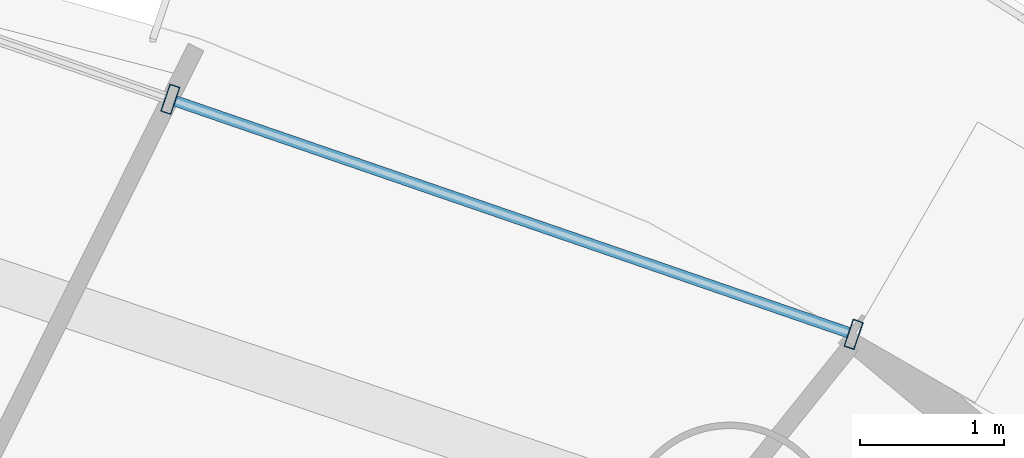
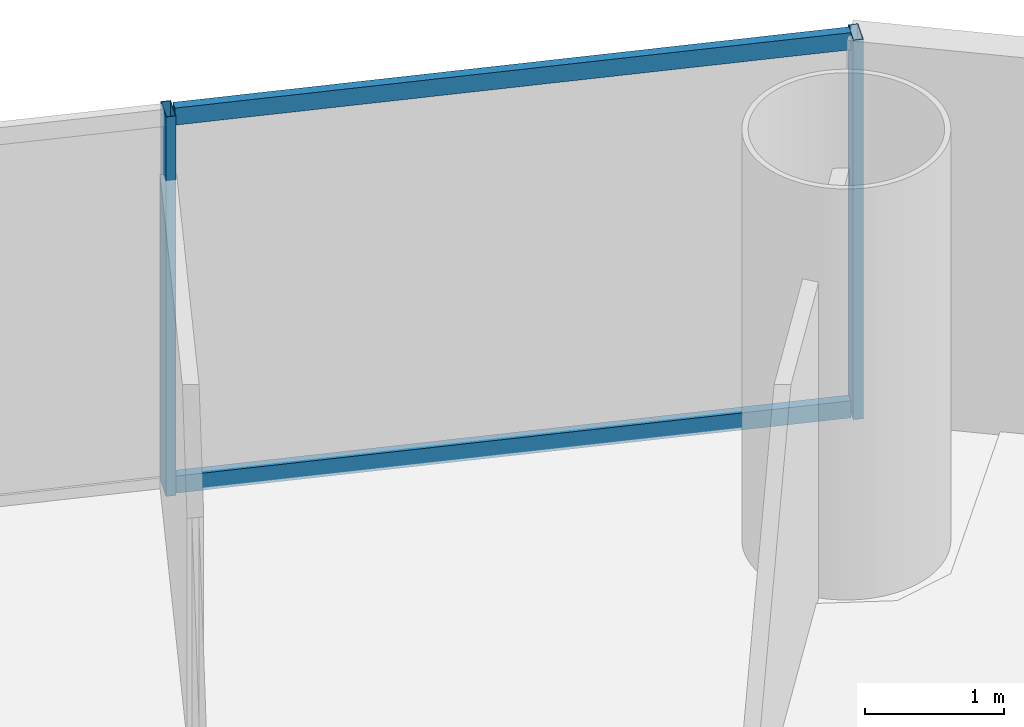
# One storey, part 20 of 29: 4 members, 1 element without a shape of its own.
"""IFC4 building model written with IfcOpenShell, lengths in metres."""

from ifc_helpers import new_model, si_unit, direction, frame, origin, origin_2d, place, context, subcontext, project, spatial, hollow_rectangle, extrude, source, transform, mapped, material, material_profile, profile_set, type_object, element, aggregate, save


model = new_model("IFC4")

# Units and contexts
model_context = context("Model", 3, precision=1e-05, world=origin(), true_north=direction((-0.2419218956, 0.970295726276)))
body_context = subcontext(model_context, "Body", "Model", "MODEL_VIEW")
ifc_project = project(units=[si_unit("LENGTHUNIT", "METRE"), si_unit("AREAUNIT", "SQUARE_METRE"), si_unit("VOLUMEUNIT", "CUBIC_METRE"), si_unit("PLANEANGLEUNIT", "RADIAN"), si_unit("MASSUNIT", "GRAM", prefix="KILO")], contexts=[model_context])

# Site, building, storey
site_placement = place(None, origin())
site = spatial("IfcSite", under=ifc_project, at=site_placement, CompositionType="ELEMENT")
building_placement = place(site_placement, origin())
building = spatial("IfcBuilding", under=site, at=building_placement, Name="Cobrevalo Terracotta Tower", CompositionType="ELEMENT")
storey_placement = place(building_placement, frame((0.0, 0.0, 87.0)))
storey = spatial("IfcBuildingStorey", under=building, at=storey_placement, Name="L22", CompositionType="ELEMENT", Elevation=87.0)

# Curtain wall, members
ifc_material = material(Name="Anodized aluminium", Category="aluminium")
curtain_wall_type = type_object("IfcCurtainWallType", Name="Lower-tower unitised acoustic low-E curtain wall CW-U1", PredefinedType="NOTDEFINED", material=ifc_material)
curtain_wall_placement = place(storey_placement, origin())
curtain_wall = element("IfcCurtainWall", 1, at=curtain_wall_placement, inside=storey, type_object=curtain_wall_type, Name="L22 curtain wall CW-L22-S03", PredefinedType="NOTDEFINED")
ifc_material_profile_1 = material_profile(ifc_material, hollow_rectangle(XDim=0.074951171875, YDim=0.199951171875, WallThickness=0.0048828125, at=origin_2d()), Name="CWM 75x200")
ifc_profile_set_1 = profile_set([ifc_material_profile_1], Name="Anodized aluminium")
member_type_1 = type_object("IfcMemberType", Name="Lower/mid tower unitised mullion 75x200", PredefinedType="MULLION", material=ifc_profile_set_1)
shared_shape_1 = source(origin(), body_context, "Body", "SweptSolid", [
    extrude(hollow_rectangle(XDim=0.074951171875, YDim=0.199951171875, WallThickness=0.0048828125, at=origin_2d()), origin(), (0.0, 0.0, 1.0), 3.324951171875),
])
member_1_placement = place(storey_placement, frame((52.7236328125, 45.16357421875, 0.0), z_axis=(0.0, 0.0, 1.0), x_axis=(-0.94559809868, 0.325337110968, 0.0)))
member_1 = element("IfcMember", 2, at=member_1_placement, type_object=member_type_1, Name="CW-L22-S03 vertical mullion 01", PredefinedType="MULLION", context=body_context, shape_type="MappedRepresentation", body=[
    mapped(shared_shape_1, transform((0.0, 0.0, 0.0), scale=1.0)),
])
member_2_placement = place(storey_placement, frame((47.972412109375, 46.79833984375, 0.0), z_axis=(0.0, 0.0, 1.0), x_axis=(-0.94559809868, 0.325337110968, 0.0)))
member_2 = element("IfcMember", 3, at=member_2_placement, type_object=member_type_1, Name="CW-L22-S03 vertical mullion 02", PredefinedType="MULLION", context=body_context, shape_type="MappedRepresentation", body=[
    mapped(shared_shape_1, transform((0.0, 0.0, 0.0), scale=1.0)),
])
ifc_material_profile_2 = material_profile(ifc_material, hollow_rectangle(XDim=0.074951171875, YDim=0.14990234375, WallThickness=0.00439453125, at=origin_2d()), Name="CWT 75x150")
ifc_profile_set_2 = profile_set([ifc_material_profile_2], Name="Anodized aluminium")
member_type_2 = type_object("IfcMemberType", Name="Tower unitised aluminium transom 75x150", PredefinedType="USERDEFINED", material=ifc_profile_set_2)
shared_shape_2 = source(origin(), body_context, "Body", "SweptSolid", [
    extrude(hollow_rectangle(XDim=0.074951171875, YDim=0.14990234375, WallThickness=0.00439453125, at=origin_2d()), origin(), (0.0, 0.0, 1.0), 4.944580078125),
])
member_3_placement = place(storey_placement, frame((52.685791015625, 45.176513671875, 0.050048828125), z_axis=(-0.945597859971, 0.32533780478, 0.0), x_axis=(-0.32533780478, -0.945597859971, 0.0)))
member_3 = element("IfcMember", 4, at=member_3_placement, type_object=member_type_2, Name="CW-L22-S03 transom B01-T1", ObjectType="TRANSOM", PredefinedType="USERDEFINED", context=body_context, shape_type="MappedRepresentation", body=[
    mapped(shared_shape_2, transform((0.0, 0.0, 0.0), scale=1.0)),
])
member_4_placement = place(storey_placement, frame((52.685791015625, 45.176513671875, 3.27490234375), z_axis=(-0.945597859971, 0.32533780478, 0.0), x_axis=(-0.32533780478, -0.945597859971, 0.0)))
member_4 = element("IfcMember", 5, at=member_4_placement, type_object=member_type_2, Name="CW-L22-S03 transom B01-T2", ObjectType="TRANSOM", PredefinedType="USERDEFINED", context=body_context, shape_type="MappedRepresentation", body=[
    mapped(shared_shape_2, transform((0.0, 0.0, 0.0), scale=1.0)),
])
aggregate(curtain_wall, [member_1, member_2, member_3, member_4])

save(model, "model.ifc")
